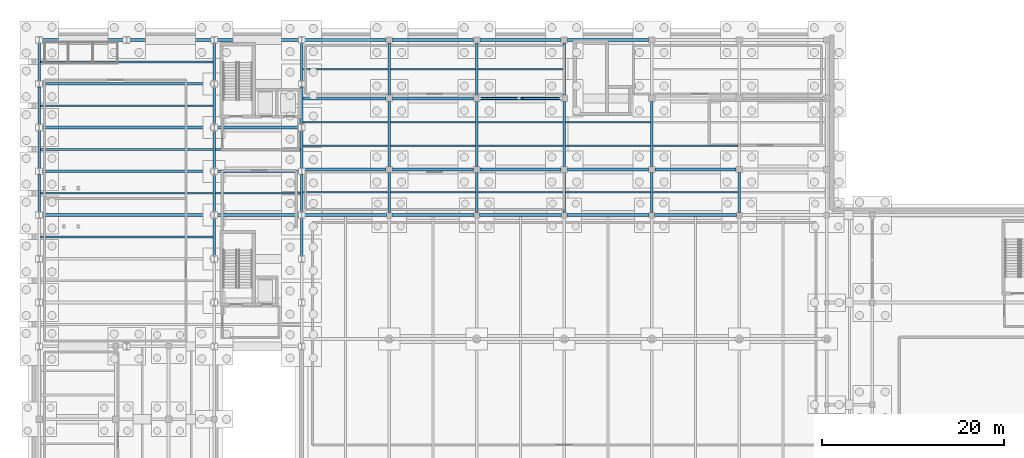
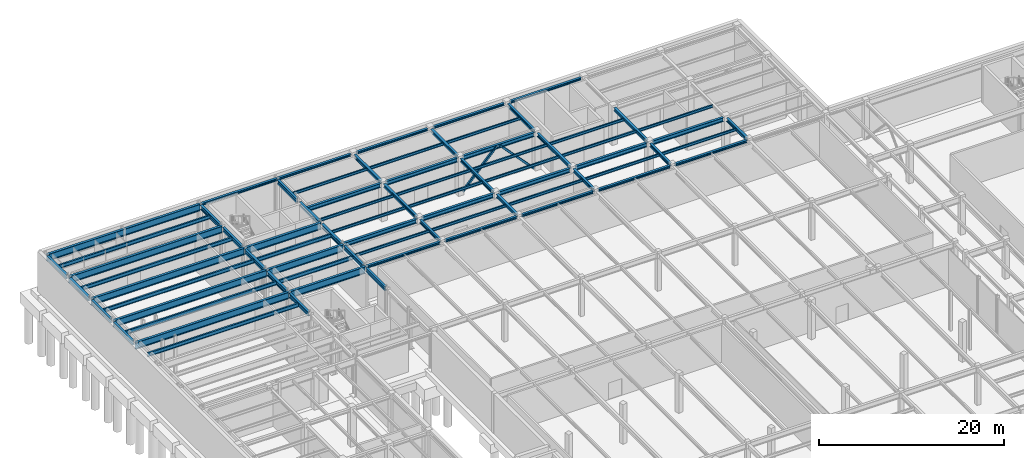
# One storey, part 18 of 33: 76 beams, 2 members.
"""IFC4 building model written with IfcOpenShell, lengths in metres."""

from ifc_helpers import new_model, si_unit, direction, frame, origin, origin_2d, place, context, subcontext, project, spatial, hollow_rectangle, i_section, extrude, material, material_profile, profile_set, type_object, element, save


model = new_model("IFC4")

# Units and contexts
model_context = context("Model", 3, precision=1e-05, world=origin(), true_north=direction((0.0, 1.0)))
body_context = subcontext(model_context, "Body", "Model", "MODEL_VIEW")
ifc_project = project(units=[si_unit("LENGTHUNIT", "METRE"), si_unit("AREAUNIT", "SQUARE_METRE"), si_unit("VOLUMEUNIT", "CUBIC_METRE"), si_unit("PLANEANGLEUNIT", "RADIAN"), si_unit("MASSUNIT", "GRAM", prefix="KILO")], contexts=[model_context])

# Site, building, storey
site_placement = place(None, origin())
site = spatial("IfcSite", under=ifc_project, at=site_placement, CompositionType="ELEMENT")
building_placement = place(site_placement, origin())
building = spatial("IfcBuilding", under=site, at=building_placement, Name="Nordkorset Police Headquarters", CompositionType="ELEMENT")
storey_placement = place(building_placement, frame((0.0, 0.0, -9.800048828125)))
storey = spatial("IfcBuildingStorey", under=building, at=storey_placement, Name="B02", CompositionType="ELEMENT", Elevation=-9.800048828125)

# Beams
ifc_material_1 = material(Name="Steel S355J2", Category="steel")
ifc_material_profile_1 = material_profile(ifc_material_1, i_section(OverallWidth=0.169921875, OverallDepth=0.360107421875, WebThickness=0.008056640625, FlangeThickness=0.0126953125, FilletRadius=0.01806640625, at=origin_2d()), Name="IPE 360")
ifc_profile_set_1 = profile_set([ifc_material_profile_1], Name="Steel S355J2")
beam_type_1 = type_object("IfcBeamType", Name="Beam_IPE_360", PredefinedType="BEAM", material=ifc_profile_set_1)
for number, where, z_axis, x_axis, name in (
    (1, (28.949951171875, 100.10009765625, 4.7900390625), (1.0, 0.0, 0.0), (0.0, 1.0, 0.0), "Composite Floor Beam V2 B02 0-0-1"),
    (2, (28.949951171875, 105.199951171875, 4.7900390625), (1.0, 0.0, 0.0), (0.0, 1.0, 0.0), "Composite Floor Beam V2 B02 0-1-1"),
    (3, (28.949951171875, 107.800048828125, 4.7900390625), (1.0, 0.0, 0.0), (0.0, 1.0, 0.0), "Composite Floor Beam V2 B02 0-1-2"),
    (4, (28.949951171875, 113.60009765625, 4.7900390625), (1.0, 0.0, 0.0), (0.0, 1.0, 0.0), "Composite Floor Beam V2 B02 0-2-1"),
    (5, (38.550048828125, 100.10009765625, 4.7900390625), (1.0, 0.0, 0.0), (0.0, 1.0, 0.0), "Composite Floor Beam V2 B02 1-0-1"),
    (6, (38.550048828125, 105.199951171875, 4.7900390625), (1.0, 0.0, 0.0), (0.0, 1.0, 0.0), "Composite Floor Beam V2 B02 1-1-1"),
    (7, (38.550048828125, 107.800048828125, 4.7900390625), (1.0, 0.0, 0.0), (0.0, 1.0, 0.0), "Composite Floor Beam V2 B02 1-1-2"),
    (8, (38.550048828125, 113.60009765625, 4.7900390625), (1.0, 0.0, 0.0), (0.0, 1.0, 0.0), "Composite Floor Beam V2 B02 1-2-1"),
    (9, (48.14990234375, 100.10009765625, 4.7900390625), (1.0, 0.0, 0.0), (0.0, 1.0, 0.0), "Composite Floor Beam V2 B02 2-0-1"),
    (10, (48.14990234375, 105.199951171875, 4.7900390625), (1.0, 0.0, 0.0), (0.0, 1.0, 0.0), "Composite Floor Beam V2 B02 2-1-1"),
    (11, (48.14990234375, 107.800048828125, 4.7900390625), (1.0, 0.0, 0.0), (0.0, 1.0, 0.0), "Composite Floor Beam V2 B02 2-1-2"),
    (12, (48.14990234375, 113.60009765625, 4.7900390625), (1.0, 0.0, 0.0), (0.0, 1.0, 0.0), "Composite Floor Beam V2 B02 2-2-1"),
    (13, (57.75, 100.10009765625, 4.7900390625), (1.0, 0.0, 0.0), (0.0, 1.0, 0.0), "Composite Floor Beam V2 B02 3-0-1"),
    (14, (57.75, 105.199951171875, 4.7900390625), (1.0, 0.0, 0.0), (0.0, 1.0, 0.0), "Composite Floor Beam V2 B02 3-1-1"),
    (15, (57.75, 107.800048828125, 4.7900390625), (1.0, 0.0, 0.0), (0.0, 1.0, 0.0), "Composite Floor Beam V2 B02 3-1-2"),
):
    element("IfcBeam", number, at=place(storey_placement, frame(where, z_axis=z_axis, x_axis=x_axis)), inside=storey, type_object=beam_type_1, Name=name, PredefinedType="BEAM", context=body_context, shape_type="SweptSolid", body=[
        extrude(i_section(OverallWidth=0.169921875, OverallDepth=0.360107421875, WebThickness=0.008056640625, FlangeThickness=0.0126953125, FilletRadius=0.01806640625, at=origin_2d()), origin(), (0.0, 0.0, 1.0), 9.300048828125),
    ])
for number, where, z_axis, x_axis, name in (
    (16, (67.35009765625, 100.10009765625, 4.7900390625), (1.0, 0.0, 0.0), (0.0, 1.0, 0.0), "Composite Floor Beam V2 B02 4-0-1"),
    (17, (67.35009765625, 105.199951171875, 4.7900390625), (1.0, 0.0, 0.0), (0.0, 1.0, 0.0), "Composite Floor Beam V2 B02 4-1-1"),
):
    element("IfcBeam", number, at=place(storey_placement, frame(where, z_axis=z_axis, x_axis=x_axis)), inside=storey, type_object=beam_type_1, Name=name, PredefinedType="BEAM", context=body_context, shape_type="SweptSolid", body=[
        extrude(i_section(OverallWidth=0.169921875, OverallDepth=0.360107421875, WebThickness=0.008056640625, FlangeThickness=0.0126953125, FilletRadius=0.01806640625, at=origin_2d()), origin(), (0.0, 0.0, 1.0), 9.2998046875),
    ])
ifc_material_2 = material(Name="Steel S355J2", Category="steel")
ifc_material_profile_2 = material_profile(ifc_material_2, i_section(OverallWidth=0.199951171875, OverallDepth=0.5, WebThickness=0.01025390625, FlangeThickness=0.01611328125, FilletRadius=0.02099609375, at=origin_2d()), Name="IPE 500")
ifc_profile_set_2 = profile_set([ifc_material_profile_2], Name="Steel S355J2")
beam_type_2 = type_object("IfcBeamType", Name="Beam_IPE_500", PredefinedType="BEAM", material=ifc_profile_set_2)
for number, where, z_axis, x_axis, name in (
    (18, (0.14990234375, 95.199951171875, 4.719970703125), (1.0, 0.0, 0.0), (0.0, 1.0, 0.0), "Composite Floor Beam V1 B02 0-2-1"),
    (19, (0.14990234375, 100.0, 4.719970703125), (1.0, 0.0, 0.0), (0.0, 1.0, 0.0), "Composite Floor Beam V1 B02 0-3-1"),
    (20, (0.14990234375, 104.800048828125, 4.719970703125), (1.0, 0.0, 0.0), (0.0, 1.0, 0.0), "Composite Floor Beam V1 B02 0-4-1"),
    (21, (0.14990234375, 109.60009765625, 4.719970703125), (1.0, 0.0, 0.0), (0.0, 1.0, 0.0), "Composite Floor Beam V1 B02 0-5-1"),
    (22, (0.14990234375, 114.39990234375, 4.719970703125), (1.0, 0.0, 0.0), (0.0, 1.0, 0.0), "Composite Floor Beam V1 B02 0-6-1"),
):
    element("IfcBeam", number, at=place(storey_placement, frame(where, z_axis=z_axis, x_axis=x_axis)), inside=storey, type_object=beam_type_2, Name=name, PredefinedType="BEAM", context=body_context, shape_type="SweptSolid", body=[
        extrude(i_section(OverallWidth=0.199951171875, OverallDepth=0.5, WebThickness=0.01025390625, FlangeThickness=0.01611328125, FilletRadius=0.02099609375, at=origin_2d()), origin(), (0.0, 0.0, 1.0), 18.900146484375),
    ])
for number, where, z_axis, x_axis, name in (
    (23, (19.35009765625, 100.0, 4.719970703125), (1.0, 0.0, 0.0), (0.0, 1.0, 0.0), "Composite Floor Beam V1 B02 1-3-1"),
    (24, (19.35009765625, 104.800048828125, 4.719970703125), (1.0, 0.0, 0.0), (0.0, 1.0, 0.0), "Composite Floor Beam V1 B02 1-4-1"),
):
    element("IfcBeam", number, at=place(storey_placement, frame(where, z_axis=z_axis, x_axis=x_axis)), inside=storey, type_object=beam_type_2, Name=name, PredefinedType="BEAM", context=body_context, shape_type="SweptSolid", body=[
        extrude(i_section(OverallWidth=0.199951171875, OverallDepth=0.5, WebThickness=0.01025390625, FlangeThickness=0.01611328125, FilletRadius=0.02099609375, at=origin_2d()), origin(), (0.0, 0.0, 1.0), 9.2998046875),
    ])

# Members
ifc_material_3 = material(Name="Steel S355J2", Category="steel")
ifc_material_profile_3 = material_profile(ifc_material_3, hollow_rectangle(XDim=0.25, YDim=0.25, WallThickness=0.012451171875, InnerFilletRadius=0.012451171875, OuterFilletRadius=0.02490234375, at=origin_2d()), Name="SHS 250x250x12.5")
ifc_profile_set_3 = profile_set([ifc_material_profile_3], Name="Steel S355J2")
member_type = type_object("IfcMemberType", Name="Brace_SHS_250x250x12.5", PredefinedType="BRACE", material=ifc_profile_set_3)
for number, where, z_axis, x_axis, name in (
    (25, (48.35009765625, 110.39990234375, 0.199951171875), (0.684311963758, 0.0, 0.729189369271), (0.0, 1.0, 0.0), "Lateral Chevron Brace BF-V2-A B02 D1"),
    (26, (57.25, 110.39990234375, 0.199951171875), (-0.684311963758, 0.0, 0.729189369271), (0.0, -1.0, 0.0), "Lateral Chevron Brace BF-V2-A B02 D2"),
):
    element("IfcMember", number, at=place(storey_placement, frame(where, z_axis=z_axis, x_axis=x_axis)), inside=storey, type_object=member_type, Name=name, PredefinedType="BRACE", context=body_context, shape_type="SweptSolid", body=[
        extrude(hollow_rectangle(XDim=0.25, YDim=0.25, WallThickness=0.012451171875, InnerFilletRadius=0.012451171875, OuterFilletRadius=0.02490234375, at=origin_2d()), origin(), (0.0, 0.0, 1.0), 6.239990234375),
    ])

# Beams
ifc_material_4 = material(Name="Steel S355J2", Category="steel")
ifc_material_profile_4 = material_profile(ifc_material_4, i_section(OverallWidth=0.300048828125, OverallDepth=0.43994140625, WebThickness=0.011474609375, FlangeThickness=0.02099609375, FilletRadius=0.027099609375, at=origin_2d()), Name="HEA 450")
ifc_profile_set_4 = profile_set([ifc_material_profile_4], Name="Steel S355J2")
beam_type_3 = type_object("IfcBeamType", Name="Girder_HEA_450", PredefinedType="USERDEFINED", material=ifc_profile_set_4)
beam_1_placement = place(storey_placement, frame((38.39990234375, 97.89990234375, 4.75), z_axis=(0.0, 1.0, 0.0), x_axis=(-1.0, 0.0, 0.0)))
element("IfcBeam", 27, at=beam_1_placement, inside=storey, type_object=beam_type_3, Name="Girder V2 B02 GY-1-0", ObjectType="GIRDER", PredefinedType="USERDEFINED", context=body_context, shape_type="SweptSolid", body=[
    extrude(i_section(OverallWidth=0.300048828125, OverallDepth=0.43994140625, WebThickness=0.011474609375, FlangeThickness=0.02099609375, FilletRadius=0.027099609375, at=origin_2d()), origin(), (0.0, 0.0, 1.0), 4.35009765625),
])
beam_2_placement = place(storey_placement, frame((38.39990234375, 102.949951171875, 4.75), z_axis=(0.0, 1.0, 0.0), x_axis=(-1.0, 0.0, 0.0)))
element("IfcBeam", 28, at=beam_2_placement, inside=storey, type_object=beam_type_3, Name="Girder V2 B02 GY-1-1", ObjectType="GIRDER", PredefinedType="USERDEFINED", context=body_context, shape_type="SweptSolid", body=[
    extrude(i_section(OverallWidth=0.300048828125, OverallDepth=0.43994140625, WebThickness=0.011474609375, FlangeThickness=0.02099609375, FilletRadius=0.027099609375, at=origin_2d()), origin(), (0.0, 0.0, 1.0), 7.10009765625),
])
beam_3_placement = place(storey_placement, frame((38.39990234375, 110.75, 4.75), z_axis=(0.0, 1.0, 0.0), x_axis=(-1.0, 0.0, 0.0)))
element("IfcBeam", 29, at=beam_3_placement, inside=storey, type_object=beam_type_3, Name="Girder V2 B02 GY-1-2", ObjectType="GIRDER", PredefinedType="USERDEFINED", context=body_context, shape_type="SweptSolid", body=[
    extrude(i_section(OverallWidth=0.300048828125, OverallDepth=0.43994140625, WebThickness=0.011474609375, FlangeThickness=0.02099609375, FilletRadius=0.027099609375, at=origin_2d()), origin(), (0.0, 0.0, 1.0), 5.699951171875),
])
beam_4_placement = place(storey_placement, frame((48.0, 97.89990234375, 4.75), z_axis=(0.0, 1.0, 0.0), x_axis=(-1.0, 0.0, 0.0)))
element("IfcBeam", 30, at=beam_4_placement, inside=storey, type_object=beam_type_3, Name="Girder V2 B02 GY-2-0", ObjectType="GIRDER", PredefinedType="USERDEFINED", context=body_context, shape_type="SweptSolid", body=[
    extrude(i_section(OverallWidth=0.300048828125, OverallDepth=0.43994140625, WebThickness=0.011474609375, FlangeThickness=0.02099609375, FilletRadius=0.027099609375, at=origin_2d()), origin(), (0.0, 0.0, 1.0), 4.35009765625),
])
beam_5_placement = place(storey_placement, frame((48.0, 102.949951171875, 4.75), z_axis=(0.0, 1.0, 0.0), x_axis=(-1.0, 0.0, 0.0)))
element("IfcBeam", 31, at=beam_5_placement, inside=storey, type_object=beam_type_3, Name="Girder V2 B02 GY-2-1", ObjectType="GIRDER", PredefinedType="USERDEFINED", context=body_context, shape_type="SweptSolid", body=[
    extrude(i_section(OverallWidth=0.300048828125, OverallDepth=0.43994140625, WebThickness=0.011474609375, FlangeThickness=0.02099609375, FilletRadius=0.027099609375, at=origin_2d()), origin(), (0.0, 0.0, 1.0), 7.10009765625),
])
beam_6_placement = place(storey_placement, frame((48.0, 110.75, 4.75), z_axis=(0.0, 1.0, 0.0), x_axis=(-1.0, 0.0, 0.0)))
element("IfcBeam", 32, at=beam_6_placement, inside=storey, type_object=beam_type_3, Name="Girder V2 B02 GY-2-2", ObjectType="GIRDER", PredefinedType="USERDEFINED", context=body_context, shape_type="SweptSolid", body=[
    extrude(i_section(OverallWidth=0.300048828125, OverallDepth=0.43994140625, WebThickness=0.011474609375, FlangeThickness=0.02099609375, FilletRadius=0.027099609375, at=origin_2d()), origin(), (0.0, 0.0, 1.0), 5.699951171875),
])
beam_7_placement = place(storey_placement, frame((57.60009765625, 97.89990234375, 4.75), z_axis=(0.0, 1.0, 0.0), x_axis=(-1.0, 0.0, 0.0)))
element("IfcBeam", 33, at=beam_7_placement, inside=storey, type_object=beam_type_3, Name="Girder V2 B02 GY-3-0", ObjectType="GIRDER", PredefinedType="USERDEFINED", context=body_context, shape_type="SweptSolid", body=[
    extrude(i_section(OverallWidth=0.300048828125, OverallDepth=0.43994140625, WebThickness=0.011474609375, FlangeThickness=0.02099609375, FilletRadius=0.027099609375, at=origin_2d()), origin(), (0.0, 0.0, 1.0), 4.35009765625),
])
beam_8_placement = place(storey_placement, frame((57.60009765625, 102.949951171875, 4.75), z_axis=(0.0, 1.0, 0.0), x_axis=(-1.0, 0.0, 0.0)))
element("IfcBeam", 34, at=beam_8_placement, inside=storey, type_object=beam_type_3, Name="Girder V2 B02 GY-3-1", ObjectType="GIRDER", PredefinedType="USERDEFINED", context=body_context, shape_type="SweptSolid", body=[
    extrude(i_section(OverallWidth=0.300048828125, OverallDepth=0.43994140625, WebThickness=0.011474609375, FlangeThickness=0.02099609375, FilletRadius=0.027099609375, at=origin_2d()), origin(), (0.0, 0.0, 1.0), 7.10009765625),
])
beam_9_placement = place(storey_placement, frame((57.60009765625, 110.75, 4.75), z_axis=(0.0, 1.0, 0.0), x_axis=(-1.0, 0.0, 0.0)))
element("IfcBeam", 35, at=beam_9_placement, inside=storey, type_object=beam_type_3, Name="Girder V2 B02 GY-3-2", ObjectType="GIRDER", PredefinedType="USERDEFINED", context=body_context, shape_type="SweptSolid", body=[
    extrude(i_section(OverallWidth=0.300048828125, OverallDepth=0.43994140625, WebThickness=0.011474609375, FlangeThickness=0.02099609375, FilletRadius=0.027099609375, at=origin_2d()), origin(), (0.0, 0.0, 1.0), 5.699951171875),
])
beam_10_placement = place(storey_placement, frame((67.199951171875, 97.89990234375, 4.75), z_axis=(0.0, 1.0, 0.0), x_axis=(-1.0, 0.0, 0.0)))
element("IfcBeam", 36, at=beam_10_placement, inside=storey, type_object=beam_type_3, Name="Girder V2 B02 GY-4-0", ObjectType="GIRDER", PredefinedType="USERDEFINED", context=body_context, shape_type="SweptSolid", body=[
    extrude(i_section(OverallWidth=0.300048828125, OverallDepth=0.43994140625, WebThickness=0.011474609375, FlangeThickness=0.02099609375, FilletRadius=0.027099609375, at=origin_2d()), origin(), (0.0, 0.0, 1.0), 4.35009765625),
])
beam_11_placement = place(storey_placement, frame((67.199951171875, 102.949951171875, 4.75), z_axis=(0.0, 1.0, 0.0), x_axis=(-1.0, 0.0, 0.0)))
element("IfcBeam", 37, at=beam_11_placement, inside=storey, type_object=beam_type_3, Name="Girder V2 B02 GY-4-1", ObjectType="GIRDER", PredefinedType="USERDEFINED", context=body_context, shape_type="SweptSolid", body=[
    extrude(i_section(OverallWidth=0.300048828125, OverallDepth=0.43994140625, WebThickness=0.011474609375, FlangeThickness=0.02099609375, FilletRadius=0.027099609375, at=origin_2d()), origin(), (0.0, 0.0, 1.0), 7.10009765625),
])
beam_12_placement = place(storey_placement, frame((76.800048828125, 97.89990234375, 4.75), z_axis=(0.0, 1.0, 0.0), x_axis=(-1.0, 0.0, 0.0)))
element("IfcBeam", 38, at=beam_12_placement, inside=storey, type_object=beam_type_3, Name="Girder V2 B02 GY-5-0", ObjectType="GIRDER", PredefinedType="USERDEFINED", context=body_context, shape_type="SweptSolid", body=[
    extrude(i_section(OverallWidth=0.300048828125, OverallDepth=0.43994140625, WebThickness=0.011474609375, FlangeThickness=0.02099609375, FilletRadius=0.027099609375, at=origin_2d()), origin(), (0.0, 0.0, 1.0), 4.35009765625),
])
ifc_material_5 = material(Name="Steel S355J2", Category="steel")
ifc_material_profile_5 = material_profile(ifc_material_5, i_section(OverallWidth=0.300048828125, OverallDepth=0.5400390625, WebThickness=0.012451171875, FlangeThickness=0.02392578125, FilletRadius=0.027099609375, at=origin_2d()), Name="HEA 550")
ifc_profile_set_5 = profile_set([ifc_material_profile_5], Name="Steel S355J2")
beam_type_4 = type_object("IfcBeamType", Name="Girder_HEA_550", PredefinedType="USERDEFINED", material=ifc_profile_set_5)
for number, where, z_axis, x_axis, name in (
    (39, (0.0, 97.925048828125, 4.699951171875), (0.0, 1.0, 0.0), (-1.0, 0.0, 0.0), "Girder V1 B02 GY-0-3"),
    (40, (0.0, 102.72509765625, 4.699951171875), (0.0, 1.0, 0.0), (-1.0, 0.0, 0.0), "Girder V1 B02 GY-0-4"),
):
    element("IfcBeam", number, at=place(storey_placement, frame(where, z_axis=z_axis, x_axis=x_axis)), inside=storey, type_object=beam_type_4, Name=name, ObjectType="GIRDER", PredefinedType="USERDEFINED", context=body_context, shape_type="SweptSolid", body=[
        extrude(i_section(OverallWidth=0.300048828125, OverallDepth=0.5400390625, WebThickness=0.012451171875, FlangeThickness=0.02392578125, FilletRadius=0.027099609375, at=origin_2d()), origin(), (0.0, 0.0, 1.0), 4.14990234375),
    ])
for number, where, z_axis, x_axis, name in (
    (41, (0.0, 107.52490234375, 4.699951171875), (0.0, 1.0, 0.0), (-1.0, 0.0, 0.0), "Girder V1 B02 GY-0-5"),
    (42, (0.0, 112.324951171875, 4.699951171875), (0.0, 1.0, 0.0), (-1.0, 0.0, 0.0), "Girder V1 B02 GY-0-6"),
):
    element("IfcBeam", number, at=place(storey_placement, frame(where, z_axis=z_axis, x_axis=x_axis)), inside=storey, type_object=beam_type_4, Name=name, ObjectType="GIRDER", PredefinedType="USERDEFINED", context=body_context, shape_type="SweptSolid", body=[
        extrude(i_section(OverallWidth=0.300048828125, OverallDepth=0.5400390625, WebThickness=0.012451171875, FlangeThickness=0.02392578125, FilletRadius=0.027099609375, at=origin_2d()), origin(), (0.0, 0.0, 1.0), 4.150146484375),
    ])
for number, where, z_axis, x_axis, name in (
    (43, (19.199951171875, 93.125, 4.699951171875), (0.0, 1.0, 0.0), (-1.0, 0.0, 0.0), "Girder V1 B02 GY-1-2"),
    (44, (19.199951171875, 97.925048828125, 4.699951171875), (0.0, 1.0, 0.0), (-1.0, 0.0, 0.0), "Girder V1 B02 GY-1-3"),
    (45, (19.199951171875, 102.72509765625, 4.699951171875), (0.0, 1.0, 0.0), (-1.0, 0.0, 0.0), "Girder V1 B02 GY-1-4"),
):
    element("IfcBeam", number, at=place(storey_placement, frame(where, z_axis=z_axis, x_axis=x_axis)), inside=storey, type_object=beam_type_4, Name=name, ObjectType="GIRDER", PredefinedType="USERDEFINED", context=body_context, shape_type="SweptSolid", body=[
        extrude(i_section(OverallWidth=0.300048828125, OverallDepth=0.5400390625, WebThickness=0.012451171875, FlangeThickness=0.02392578125, FilletRadius=0.027099609375, at=origin_2d()), origin(), (0.0, 0.0, 1.0), 4.14990234375),
    ])
for number, where, z_axis, x_axis, name in (
    (46, (19.199951171875, 107.52490234375, 4.699951171875), (0.0, 1.0, 0.0), (-1.0, 0.0, 0.0), "Girder V1 B02 GY-1-5"),
    (47, (19.199951171875, 112.324951171875, 4.699951171875), (0.0, 1.0, 0.0), (-1.0, 0.0, 0.0), "Girder V1 B02 GY-1-6"),
):
    element("IfcBeam", number, at=place(storey_placement, frame(where, z_axis=z_axis, x_axis=x_axis)), inside=storey, type_object=beam_type_4, Name=name, ObjectType="GIRDER", PredefinedType="USERDEFINED", context=body_context, shape_type="SweptSolid", body=[
        extrude(i_section(OverallWidth=0.300048828125, OverallDepth=0.5400390625, WebThickness=0.012451171875, FlangeThickness=0.02392578125, FilletRadius=0.027099609375, at=origin_2d()), origin(), (0.0, 0.0, 1.0), 4.150146484375),
    ])
for number, where, z_axis, x_axis, name in (
    (48, (28.800048828125, 93.125, 4.699951171875), (0.0, 1.0, 0.0), (-1.0, 0.0, 0.0), "Girder V1 B02 GY-2-2"),
    (49, (28.800048828125, 97.925048828125, 4.699951171875), (0.0, 1.0, 0.0), (-1.0, 0.0, 0.0), "Girder V1 B02 GY-2-3"),
    (50, (28.800048828125, 102.72509765625, 4.699951171875), (0.0, 1.0, 0.0), (-1.0, 0.0, 0.0), "Girder V1 B02 GY-2-4"),
):
    element("IfcBeam", number, at=place(storey_placement, frame(where, z_axis=z_axis, x_axis=x_axis)), inside=storey, type_object=beam_type_4, Name=name, ObjectType="GIRDER", PredefinedType="USERDEFINED", context=body_context, shape_type="SweptSolid", body=[
        extrude(i_section(OverallWidth=0.300048828125, OverallDepth=0.5400390625, WebThickness=0.012451171875, FlangeThickness=0.02392578125, FilletRadius=0.027099609375, at=origin_2d()), origin(), (0.0, 0.0, 1.0), 4.14990234375),
    ])
for number, where, z_axis, x_axis, name in (
    (51, (28.800048828125, 107.52490234375, 4.699951171875), (0.0, 1.0, 0.0), (-1.0, 0.0, 0.0), "Girder V1 B02 GY-2-5"),
    (52, (28.800048828125, 112.324951171875, 4.699951171875), (0.0, 1.0, 0.0), (-1.0, 0.0, 0.0), "Girder V1 B02 GY-2-6"),
):
    element("IfcBeam", number, at=place(storey_placement, frame(where, z_axis=z_axis, x_axis=x_axis)), inside=storey, type_object=beam_type_4, Name=name, ObjectType="GIRDER", PredefinedType="USERDEFINED", context=body_context, shape_type="SweptSolid", body=[
        extrude(i_section(OverallWidth=0.300048828125, OverallDepth=0.5400390625, WebThickness=0.012451171875, FlangeThickness=0.02392578125, FilletRadius=0.027099609375, at=origin_2d()), origin(), (0.0, 0.0, 1.0), 4.150146484375),
    ])
beam_13_placement = place(storey_placement, frame((28.949951171875, 102.60009765625, 4.699951171875), z_axis=(1.0, 0.0, 0.0), x_axis=(0.0, 1.0, 0.0)))
element("IfcBeam", 53, at=beam_13_placement, inside=storey, type_object=beam_type_4, Name="Girder V2 B02 GX-1-0", ObjectType="GIRDER", PredefinedType="USERDEFINED", context=body_context, shape_type="SweptSolid", body=[
    extrude(i_section(OverallWidth=0.300048828125, OverallDepth=0.5400390625, WebThickness=0.012451171875, FlangeThickness=0.02392578125, FilletRadius=0.027099609375, at=origin_2d()), origin(), (0.0, 0.0, 1.0), 9.10009765625),
])
for number, where, z_axis, x_axis, name in (
    (54, (38.75, 102.60009765625, 4.699951171875), (1.0, 0.0, 0.0), (0.0, 1.0, 0.0), "Girder V2 B02 GX-1-1"),
    (55, (48.35009765625, 102.60009765625, 4.699951171875), (1.0, 0.0, 0.0), (0.0, 1.0, 0.0), "Girder V2 B02 GX-1-2"),
):
    element("IfcBeam", number, at=place(storey_placement, frame(where, z_axis=z_axis, x_axis=x_axis)), inside=storey, type_object=beam_type_4, Name=name, ObjectType="GIRDER", PredefinedType="USERDEFINED", context=body_context, shape_type="SweptSolid", body=[
        extrude(i_section(OverallWidth=0.300048828125, OverallDepth=0.5400390625, WebThickness=0.012451171875, FlangeThickness=0.02392578125, FilletRadius=0.027099609375, at=origin_2d()), origin(), (0.0, 0.0, 1.0), 8.89990234375),
    ])
beam_14_placement = place(storey_placement, frame((57.949951171875, 102.60009765625, 4.699951171875), z_axis=(1.0, 0.0, 0.0), x_axis=(0.0, 1.0, 0.0)))
element("IfcBeam", 56, at=beam_14_placement, inside=storey, type_object=beam_type_4, Name="Girder V2 B02 GX-1-3", ObjectType="GIRDER", PredefinedType="USERDEFINED", context=body_context, shape_type="SweptSolid", body=[
    extrude(i_section(OverallWidth=0.300048828125, OverallDepth=0.5400390625, WebThickness=0.012451171875, FlangeThickness=0.02392578125, FilletRadius=0.027099609375, at=origin_2d()), origin(), (0.0, 0.0, 1.0), 8.900146484375),
])
beam_15_placement = place(storey_placement, frame((67.550048828125, 102.60009765625, 4.699951171875), z_axis=(1.0, 0.0, 0.0), x_axis=(0.0, 1.0, 0.0)))
element("IfcBeam", 57, at=beam_15_placement, inside=storey, type_object=beam_type_4, Name="Girder V2 B02 GX-1-4", ObjectType="GIRDER", PredefinedType="USERDEFINED", context=body_context, shape_type="SweptSolid", body=[
    extrude(i_section(OverallWidth=0.300048828125, OverallDepth=0.5400390625, WebThickness=0.012451171875, FlangeThickness=0.02392578125, FilletRadius=0.027099609375, at=origin_2d()), origin(), (0.0, 0.0, 1.0), 8.89990234375),
])
beam_16_placement = place(storey_placement, frame((28.949951171875, 110.39990234375, 4.699951171875), z_axis=(1.0, 0.0, 0.0), x_axis=(0.0, 1.0, 0.0)))
element("IfcBeam", 58, at=beam_16_placement, inside=storey, type_object=beam_type_4, Name="Girder V2 B02 GX-2-0", ObjectType="GIRDER", PredefinedType="USERDEFINED", context=body_context, shape_type="SweptSolid", body=[
    extrude(i_section(OverallWidth=0.300048828125, OverallDepth=0.5400390625, WebThickness=0.012451171875, FlangeThickness=0.02392578125, FilletRadius=0.027099609375, at=origin_2d()), origin(), (0.0, 0.0, 1.0), 9.10009765625),
])
for number, where, z_axis, x_axis, name in (
    (59, (38.75, 110.39990234375, 4.699951171875), (1.0, 0.0, 0.0), (0.0, 1.0, 0.0), "Girder V2 B02 GX-2-1"),
    (60, (48.35009765625, 110.39990234375, 4.699951171875), (1.0, 0.0, 0.0), (0.0, 1.0, 0.0), "Girder V2 B02 GX-2-2"),
):
    element("IfcBeam", number, at=place(storey_placement, frame(where, z_axis=z_axis, x_axis=x_axis)), inside=storey, type_object=beam_type_4, Name=name, ObjectType="GIRDER", PredefinedType="USERDEFINED", context=body_context, shape_type="SweptSolid", body=[
        extrude(i_section(OverallWidth=0.300048828125, OverallDepth=0.5400390625, WebThickness=0.012451171875, FlangeThickness=0.02392578125, FilletRadius=0.027099609375, at=origin_2d()), origin(), (0.0, 0.0, 1.0), 8.89990234375),
    ])
ifc_material_6 = material(Name="Steel S355J2", Category="steel")
ifc_material_profile_6 = material_profile(ifc_material_6, i_section(OverallWidth=0.300048828125, OverallDepth=0.89990234375, WebThickness=0.0185546875, FlangeThickness=0.034912109375, FilletRadius=0.030029296875, at=origin_2d()), Name="HEB 900")
ifc_profile_set_6 = profile_set([ifc_material_profile_6], Name="Steel S355J2")
beam_type_5 = type_object("IfcBeamType", Name="Girder_HEB_900", PredefinedType="USERDEFINED", material=ifc_profile_set_6)
beam_17_placement = place(storey_placement, frame((0.008056640625, 97.60009765625, 4.52001953125), z_axis=(1.0, 0.0, 0.0), x_axis=(0.0, 1.0, 0.0)))
element("IfcBeam", 61, at=beam_17_placement, inside=storey, type_object=beam_type_5, Name="Girder V1 B02 GX-3-0", ObjectType="GIRDER", PredefinedType="USERDEFINED", context=body_context, shape_type="SweptSolid", body=[
    extrude(i_section(OverallWidth=0.300048828125, OverallDepth=0.89990234375, WebThickness=0.0185546875, FlangeThickness=0.034912109375, FilletRadius=0.030029296875, at=origin_2d()), origin(), (0.0, 0.0, 1.0), 19.183837890625),
])
beam_18_placement = place(storey_placement, frame((19.2080078125, 97.60009765625, 4.52001953125), z_axis=(1.0, 0.0, 0.0), x_axis=(0.0, 1.0, 0.0)))
element("IfcBeam", 62, at=beam_18_placement, inside=storey, type_object=beam_type_5, Name="Girder V1 B02 GX-3-1", ObjectType="GIRDER", PredefinedType="USERDEFINED", context=body_context, shape_type="SweptSolid", body=[
    extrude(i_section(OverallWidth=0.300048828125, OverallDepth=0.89990234375, WebThickness=0.0185546875, FlangeThickness=0.034912109375, FilletRadius=0.030029296875, at=origin_2d()), origin(), (0.0, 0.0, 1.0), 9.583984375),
])
beam_19_placement = place(storey_placement, frame((0.008056640625, 102.39990234375, 4.52001953125), z_axis=(1.0, 0.0, 0.0), x_axis=(0.0, 1.0, 0.0)))
element("IfcBeam", 63, at=beam_19_placement, inside=storey, type_object=beam_type_5, Name="Girder V1 B02 GX-4-0", ObjectType="GIRDER", PredefinedType="USERDEFINED", context=body_context, shape_type="SweptSolid", body=[
    extrude(i_section(OverallWidth=0.300048828125, OverallDepth=0.89990234375, WebThickness=0.0185546875, FlangeThickness=0.034912109375, FilletRadius=0.030029296875, at=origin_2d()), origin(), (0.0, 0.0, 1.0), 19.183837890625),
])
beam_20_placement = place(storey_placement, frame((19.2080078125, 102.39990234375, 4.52001953125), z_axis=(1.0, 0.0, 0.0), x_axis=(0.0, 1.0, 0.0)))
element("IfcBeam", 64, at=beam_20_placement, inside=storey, type_object=beam_type_5, Name="Girder V1 B02 GX-4-1", ObjectType="GIRDER", PredefinedType="USERDEFINED", context=body_context, shape_type="SweptSolid", body=[
    extrude(i_section(OverallWidth=0.300048828125, OverallDepth=0.89990234375, WebThickness=0.0185546875, FlangeThickness=0.034912109375, FilletRadius=0.030029296875, at=origin_2d()), origin(), (0.0, 0.0, 1.0), 9.583984375),
])
beam_21_placement = place(storey_placement, frame((0.008056640625, 107.199951171875, 4.52001953125), z_axis=(1.0, 0.0, 0.0), x_axis=(0.0, 1.0, 0.0)))
element("IfcBeam", 65, at=beam_21_placement, inside=storey, type_object=beam_type_5, Name="Girder V1 B02 GX-5-0", ObjectType="GIRDER", PredefinedType="USERDEFINED", context=body_context, shape_type="SweptSolid", body=[
    extrude(i_section(OverallWidth=0.300048828125, OverallDepth=0.89990234375, WebThickness=0.0185546875, FlangeThickness=0.034912109375, FilletRadius=0.030029296875, at=origin_2d()), origin(), (0.0, 0.0, 1.0), 19.183837890625),
])
beam_22_placement = place(storey_placement, frame((19.2080078125, 107.199951171875, 4.52001953125), z_axis=(1.0, 0.0, 0.0), x_axis=(0.0, 1.0, 0.0)))
element("IfcBeam", 66, at=beam_22_placement, inside=storey, type_object=beam_type_5, Name="Girder V1 B02 GX-5-1", ObjectType="GIRDER", PredefinedType="USERDEFINED", context=body_context, shape_type="SweptSolid", body=[
    extrude(i_section(OverallWidth=0.300048828125, OverallDepth=0.89990234375, WebThickness=0.0185546875, FlangeThickness=0.034912109375, FilletRadius=0.030029296875, at=origin_2d()), origin(), (0.0, 0.0, 1.0), 9.583984375),
])
for number, where, z_axis, x_axis, name in (
    (67, (0.008056640625, 112.0, 4.52001953125), (1.0, 0.0, 0.0), (0.0, 1.0, 0.0), "Girder V1 B02 GX-6-0"),
    (68, (0.008056640625, 116.800048828125, 4.52001953125), (1.0, 0.0, 0.0), (0.0, 1.0, 0.0), "Girder V1 B02 GX-7-0"),
):
    element("IfcBeam", number, at=place(storey_placement, frame(where, z_axis=z_axis, x_axis=x_axis)), inside=storey, type_object=beam_type_5, Name=name, ObjectType="GIRDER", PredefinedType="USERDEFINED", context=body_context, shape_type="SweptSolid", body=[
        extrude(i_section(OverallWidth=0.300048828125, OverallDepth=0.89990234375, WebThickness=0.0185546875, FlangeThickness=0.034912109375, FilletRadius=0.030029296875, at=origin_2d()), origin(), (0.0, 0.0, 1.0), 19.183837890625),
    ])
ifc_material_7 = material(Name="Steel S355J2", Category="steel")
ifc_material_profile_7 = material_profile(ifc_material_7, i_section(OverallWidth=0.300048828125, OverallDepth=0.31005859375, WebThickness=0.009033203125, FlangeThickness=0.015380859375, FilletRadius=0.027099609375, at=origin_2d()), Name="HEA 320")
ifc_profile_set_7 = profile_set([ifc_material_profile_7], Name="Steel S355J2")
beam_type_6 = type_object("IfcBeamType", Name="Spandrel_HEA_320", PredefinedType="SPANDREL", material=ifc_profile_set_7)
beam_23_placement = place(storey_placement, frame((19.2080078125, 116.800048828125, 4.81494140625), z_axis=(1.0, 0.0, 0.0), x_axis=(0.0, 1.0, 0.0)))
element("IfcBeam", 69, at=beam_23_placement, inside=storey, type_object=beam_type_6, Name="Girder V1 B02 GX-7-1", PredefinedType="SPANDREL", context=body_context, shape_type="SweptSolid", body=[
    extrude(i_section(OverallWidth=0.300048828125, OverallDepth=0.31005859375, WebThickness=0.009033203125, FlangeThickness=0.015380859375, FilletRadius=0.027099609375, at=origin_2d()), origin(), (0.0, 0.0, 1.0), 9.583984375),
])
beam_24_placement = place(storey_placement, frame((28.80810546875, 97.60009765625, 4.81494140625), z_axis=(1.0, 0.0, 0.0), x_axis=(0.0, 1.0, 0.0)))
element("IfcBeam", 70, at=beam_24_placement, inside=storey, type_object=beam_type_6, Name="Girder V2 B02 GX-0-0", PredefinedType="SPANDREL", context=body_context, shape_type="SweptSolid", body=[
    extrude(i_section(OverallWidth=0.300048828125, OverallDepth=0.31005859375, WebThickness=0.009033203125, FlangeThickness=0.015380859375, FilletRadius=0.027099609375, at=origin_2d()), origin(), (0.0, 0.0, 1.0), 9.2919921875),
])
for number, where, z_axis, x_axis, name in (
    (71, (38.699951171875, 97.60009765625, 4.81494140625), (1.0, 0.0, 0.0), (0.0, 1.0, 0.0), "Girder V2 B02 GX-0-1"),
    (72, (48.300048828125, 97.60009765625, 4.81494140625), (1.0, 0.0, 0.0), (0.0, 1.0, 0.0), "Girder V2 B02 GX-0-2"),
    (73, (57.89990234375, 97.60009765625, 4.81494140625), (1.0, 0.0, 0.0), (0.0, 1.0, 0.0), "Girder V2 B02 GX-0-3"),
    (74, (67.5, 97.60009765625, 4.81494140625), (1.0, 0.0, 0.0), (0.0, 1.0, 0.0), "Girder V2 B02 GX-0-4"),
):
    element("IfcBeam", number, at=place(storey_placement, frame(where, z_axis=z_axis, x_axis=x_axis)), inside=storey, type_object=beam_type_6, Name=name, PredefinedType="SPANDREL", context=body_context, shape_type="SweptSolid", body=[
        extrude(i_section(OverallWidth=0.300048828125, OverallDepth=0.31005859375, WebThickness=0.009033203125, FlangeThickness=0.015380859375, FilletRadius=0.027099609375, at=origin_2d()), origin(), (0.0, 0.0, 1.0), 9.0),
    ])
beam_25_placement = place(storey_placement, frame((28.80810546875, 116.800048828125, 4.81494140625), z_axis=(1.0, 0.0, 0.0), x_axis=(0.0, 1.0, 0.0)))
element("IfcBeam", 75, at=beam_25_placement, inside=storey, type_object=beam_type_6, Name="Girder V2 B02 GX-3-0", PredefinedType="SPANDREL", context=body_context, shape_type="SweptSolid", body=[
    extrude(i_section(OverallWidth=0.300048828125, OverallDepth=0.31005859375, WebThickness=0.009033203125, FlangeThickness=0.015380859375, FilletRadius=0.027099609375, at=origin_2d()), origin(), (0.0, 0.0, 1.0), 9.241943359375),
])
for number, where, z_axis, x_axis, name in (
    (76, (38.75, 116.800048828125, 4.81494140625), (1.0, 0.0, 0.0), (0.0, 1.0, 0.0), "Girder V2 B02 GX-3-1"),
    (77, (48.35009765625, 116.800048828125, 4.81494140625), (1.0, 0.0, 0.0), (0.0, 1.0, 0.0), "Girder V2 B02 GX-3-2"),
):
    element("IfcBeam", number, at=place(storey_placement, frame(where, z_axis=z_axis, x_axis=x_axis)), inside=storey, type_object=beam_type_6, Name=name, PredefinedType="SPANDREL", context=body_context, shape_type="SweptSolid", body=[
        extrude(i_section(OverallWidth=0.300048828125, OverallDepth=0.31005859375, WebThickness=0.009033203125, FlangeThickness=0.015380859375, FilletRadius=0.027099609375, at=origin_2d()), origin(), (0.0, 0.0, 1.0), 8.89990234375),
    ])
beam_26_placement = place(storey_placement, frame((57.949951171875, 116.800048828125, 4.81494140625), z_axis=(1.0, 0.0, 0.0), x_axis=(0.0, 1.0, 0.0)))
element("IfcBeam", 78, at=beam_26_placement, inside=storey, type_object=beam_type_6, Name="Girder V2 B02 GX-3-3", PredefinedType="SPANDREL", context=body_context, shape_type="SweptSolid", body=[
    extrude(i_section(OverallWidth=0.300048828125, OverallDepth=0.31005859375, WebThickness=0.009033203125, FlangeThickness=0.015380859375, FilletRadius=0.027099609375, at=origin_2d()), origin(), (0.0, 0.0, 1.0), 8.900146484375),
])

save(model, "model.ifc")
